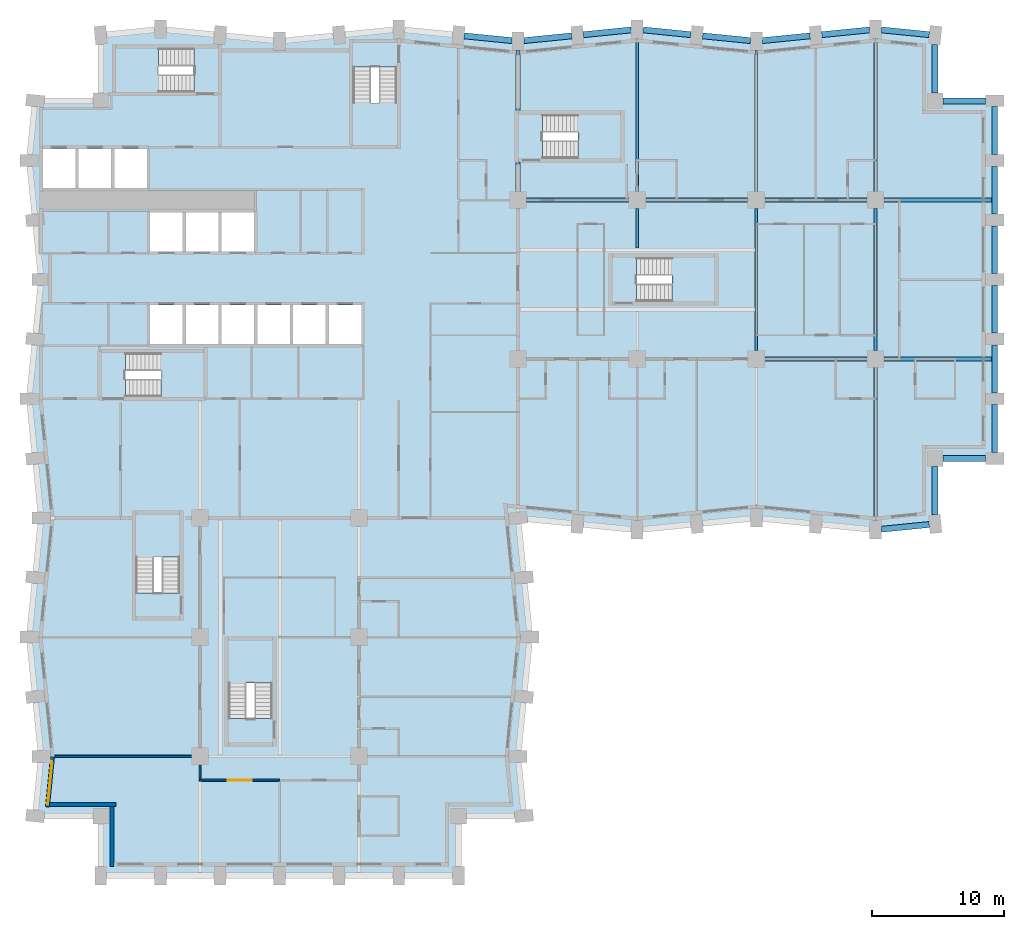
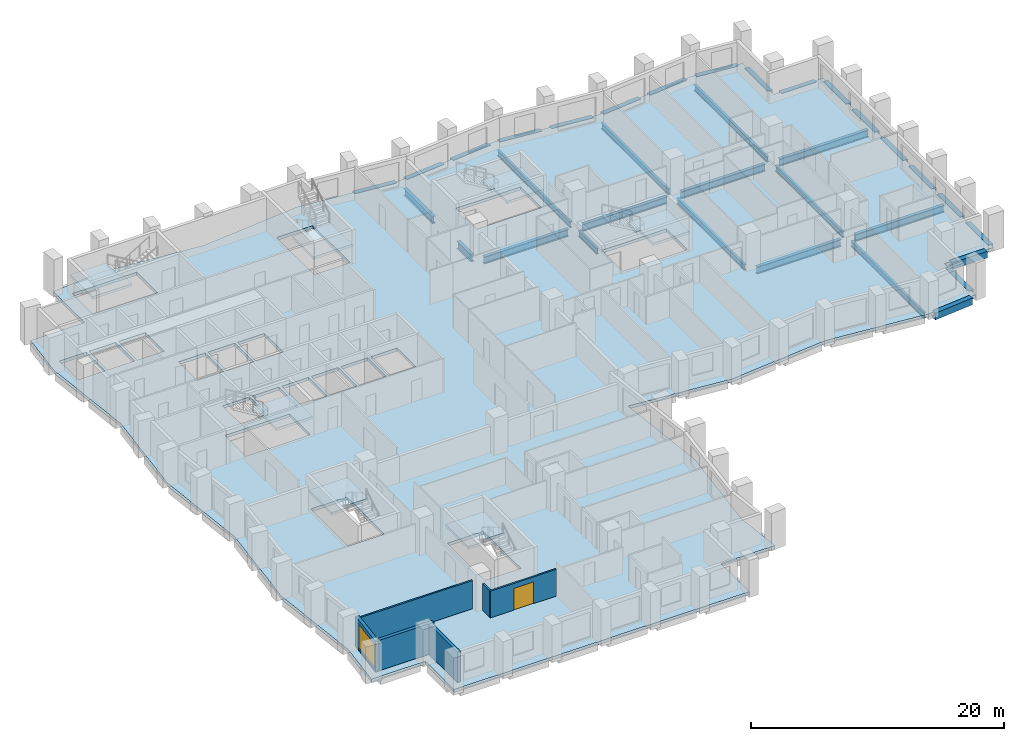
# One storey, part 2 of 12: 34 beams, 8 slabs, 6 walls, 1 door, 1 window, 2 openings, 7 elements without a shape of their own.
"""IFC4 building model written with IfcOpenShell, lengths in metres."""

from ifc_helpers import new_model, si_unit, direction, frame, frame_2d, origin, origin_2d, place, context, subcontext, project, spatial, polyline, rectangle, i_section, outline, extrude, material, layer, layer_set, material_profile, profile_set, type_object, element, fill, aggregate, save


model = new_model("IFC4")

# Units and contexts
model_context = context("Model", 3, precision=1e-05, world=origin(), true_north=direction((0.0, 1.0)))
body_context = subcontext(model_context, "Body", "Model", "MODEL_VIEW")
ifc_project = project(units=[si_unit("LENGTHUNIT", "METRE"), si_unit("AREAUNIT", "SQUARE_METRE"), si_unit("VOLUMEUNIT", "CUBIC_METRE"), si_unit("PLANEANGLEUNIT", "RADIAN"), si_unit("MASSUNIT", "GRAM", prefix="KILO")], contexts=[model_context])

# Site, building, storey
site_placement = place(None, origin())
site = spatial("IfcSite", under=ifc_project, at=site_placement, CompositionType="ELEMENT")
building_placement = place(site_placement, origin())
building = spatial("IfcBuilding", under=site, at=building_placement, Name="Brondeck Convention Tower", CompositionType="ELEMENT")
storey_placement = place(building_placement, frame((0.0, 0.0, 80.699951171875)))
storey = spatial("IfcBuildingStorey", under=building, at=storey_placement, Name="L18", CompositionType="ELEMENT", Elevation=80.699951171875)

# Beams
ifc_material_1 = material(Name="Steel S355", Category="steel")
ifc_material_profile_1 = material_profile(ifc_material_1, i_section(OverallWidth=0.2099609375, OverallDepth=0.550048828125, WebThickness=0.010986328125, FlangeThickness=0.01708984375, FilletRadius=0.02392578125, at=origin_2d()), Name="IPE 550")
ifc_profile_set_1 = profile_set([ifc_material_profile_1], Name="Steel S355")
beam_type_1 = type_object("IfcBeamType", Name="Floor beam IPE 550", PredefinedType="BEAM", material=ifc_profile_set_1)
beam_1_placement = place(storey_placement, frame((45.0, 51.64990234375, -0.574951171875), z_axis=(0.0, 1.0, 0.0), x_axis=(-1.0, 0.0, 0.0)))
element("IfcBeam", 1, at=beam_1_placement, inside=storey, type_object=beam_type_1, Name="STR-FB-L18-002", PredefinedType="BEAM", context=body_context, shape_type="SweptSolid", body=[
    extrude(i_section(OverallWidth=0.2099609375, OverallDepth=0.550048828125, WebThickness=0.010986328125, FlangeThickness=0.01708984375, FilletRadius=0.02392578125, at=origin_2d()), origin(), (0.0, 0.0, 1.0), 11.550048828125),
])
beam_2_placement = place(storey_placement, frame((54.0, 39.64990234375, -0.574951171875), z_axis=(0.0, 1.0, 0.0), x_axis=(-1.0, 0.0, 0.0)))
element("IfcBeam", 2, at=beam_2_placement, inside=storey, type_object=beam_type_1, Name="STR-FB-L18-004", PredefinedType="BEAM", context=body_context, shape_type="SweptSolid", body=[
    extrude(i_section(OverallWidth=0.2099609375, OverallDepth=0.550048828125, WebThickness=0.010986328125, FlangeThickness=0.01708984375, FilletRadius=0.02392578125, at=origin_2d()), origin(), (0.0, 0.0, 1.0), 10.7001953125),
])
beam_3_placement = place(storey_placement, frame((54.0, 51.64990234375, -0.574951171875), z_axis=(0.0, 1.0, 0.0), x_axis=(-1.0, 0.0, 0.0)))
element("IfcBeam", 3, at=beam_3_placement, inside=storey, type_object=beam_type_1, Name="STR-FB-L18-005", PredefinedType="BEAM", context=body_context, shape_type="SweptSolid", body=[
    extrude(i_section(OverallWidth=0.2099609375, OverallDepth=0.550048828125, WebThickness=0.010986328125, FlangeThickness=0.01708984375, FilletRadius=0.02392578125, at=origin_2d()), origin(), (0.0, 0.0, 1.0), 10.650146484375),
])
beam_4_placement = place(storey_placement, frame((63.0, 26.800048828125, -0.574951171875), z_axis=(0.0, 1.0, 0.0), x_axis=(-1.0, 0.0, 0.0)))
element("IfcBeam", 4, at=beam_4_placement, inside=storey, type_object=beam_type_1, Name="STR-FB-L18-006", PredefinedType="BEAM", context=body_context, shape_type="SweptSolid", body=[
    extrude(i_section(OverallWidth=0.2099609375, OverallDepth=0.550048828125, WebThickness=0.010986328125, FlangeThickness=0.01708984375, FilletRadius=0.02392578125, at=origin_2d()), origin(), (0.0, 0.0, 1.0), 11.550048828125),
])
beam_5_placement = place(storey_placement, frame((63.0, 39.64990234375, -0.574951171875), z_axis=(0.0, 1.0, 0.0), x_axis=(-1.0, 0.0, 0.0)))
element("IfcBeam", 5, at=beam_5_placement, inside=storey, type_object=beam_type_1, Name="STR-FB-L18-007", PredefinedType="BEAM", context=body_context, shape_type="SweptSolid", body=[
    extrude(i_section(OverallWidth=0.2099609375, OverallDepth=0.550048828125, WebThickness=0.010986328125, FlangeThickness=0.01708984375, FilletRadius=0.02392578125, at=origin_2d()), origin(), (0.0, 0.0, 1.0), 10.7001953125),
])
beam_6_placement = place(storey_placement, frame((63.0, 51.64990234375, -0.574951171875), z_axis=(0.0, 1.0, 0.0), x_axis=(-1.0, 0.0, 0.0)))
element("IfcBeam", 6, at=beam_6_placement, inside=storey, type_object=beam_type_1, Name="STR-FB-L18-008", PredefinedType="BEAM", context=body_context, shape_type="SweptSolid", body=[
    extrude(i_section(OverallWidth=0.2099609375, OverallDepth=0.550048828125, WebThickness=0.010986328125, FlangeThickness=0.01708984375, FilletRadius=0.02392578125, at=origin_2d()), origin(), (0.0, 0.0, 1.0), 11.550048828125),
])
beam_7_placement = place(storey_placement, frame((45.0, 47.39990234375, -0.574951171875), z_axis=(0.0, 1.0, 0.0), x_axis=(-1.0, 0.0, 0.0)))
element("IfcBeam", 7, at=beam_7_placement, inside=storey, type_object=beam_type_1, Name="STR-FB-L18-015", PredefinedType="BEAM", context=body_context, shape_type="SweptSolid", body=[
    extrude(i_section(OverallWidth=0.2099609375, OverallDepth=0.550048828125, WebThickness=0.010986328125, FlangeThickness=0.01708984375, FilletRadius=0.02392578125, at=origin_2d()), origin(), (0.0, 0.0, 1.0), 2.9501953125),
])
ifc_material_profile_2 = material_profile(ifc_material_1, i_section(OverallWidth=0.300048828125, OverallDepth=0.699951171875, WebThickness=0.01708984375, FlangeThickness=0.031982421875, FilletRadius=0.027099609375, at=origin_2d()), Name="HEB 700")
ifc_profile_set_2 = profile_set([ifc_material_profile_2], Name="Steel S355")
beam_type_2 = type_object("IfcBeamType", Name="Girder HEB 700", PredefinedType="BEAM", material=ifc_profile_set_2)
beam_8_placement = place(storey_placement, frame((54.64990234375, 39.0, -0.64990234375), z_axis=(1.0, 0.0, 0.0), x_axis=(0.0, 1.0, 0.0)))
element("IfcBeam", 8, at=beam_8_placement, inside=storey, type_object=beam_type_2, Name="STR-GR-L18-003", PredefinedType="BEAM", context=body_context, shape_type="SweptSolid", body=[
    extrude(i_section(OverallWidth=0.300048828125, OverallDepth=0.699951171875, WebThickness=0.01708984375, FlangeThickness=0.031982421875, FilletRadius=0.027099609375, at=origin_2d()), origin(), (0.0, 0.0, 1.0), 7.7001953125),
])
beam_9_placement = place(storey_placement, frame((63.64990234375, 39.0, -0.64990234375), z_axis=(1.0, 0.0, 0.0), x_axis=(0.0, 1.0, 0.0)))
element("IfcBeam", 9, at=beam_9_placement, inside=storey, type_object=beam_type_2, Name="STR-GR-L18-004", PredefinedType="BEAM", context=body_context, shape_type="SweptSolid", body=[
    extrude(i_section(OverallWidth=0.300048828125, OverallDepth=0.699951171875, WebThickness=0.01708984375, FlangeThickness=0.031982421875, FilletRadius=0.027099609375, at=origin_2d()), origin(), (0.0, 0.0, 1.0), 8.125),
])
for number, where, z_axis, x_axis, name in (
    (10, (36.64990234375, 51.0, -0.64990234375), (1.0, 0.0, 0.0), (0.0, 1.0, 0.0), "STR-GR-L18-005"),
    (11, (45.64990234375, 51.0, -0.64990234375), (1.0, 0.0, 0.0), (0.0, 1.0, 0.0), "STR-GR-L18-006"),
    (12, (54.64990234375, 51.0, -0.64990234375), (1.0, 0.0, 0.0), (0.0, 1.0, 0.0), "STR-GR-L18-007"),
):
    element("IfcBeam", number, at=place(storey_placement, frame(where, z_axis=z_axis, x_axis=x_axis)), inside=storey, type_object=beam_type_2, Name=name, PredefinedType="BEAM", context=body_context, shape_type="SweptSolid", body=[
        extrude(i_section(OverallWidth=0.300048828125, OverallDepth=0.699951171875, WebThickness=0.01708984375, FlangeThickness=0.031982421875, FilletRadius=0.027099609375, at=origin_2d()), origin(), (0.0, 0.0, 1.0), 7.7001953125),
    ])
beam_10_placement = place(storey_placement, frame((63.64990234375, 51.0, -0.64990234375), z_axis=(1.0, 0.0, 0.0), x_axis=(0.0, 1.0, 0.0)))
element("IfcBeam", 13, at=beam_10_placement, inside=storey, type_object=beam_type_2, Name="STR-GR-L18-008", PredefinedType="BEAM", context=body_context, shape_type="SweptSolid", body=[
    extrude(i_section(OverallWidth=0.300048828125, OverallDepth=0.699951171875, WebThickness=0.01708984375, FlangeThickness=0.031982421875, FilletRadius=0.027099609375, at=origin_2d()), origin(), (0.0, 0.0, 1.0), 8.125),
])
beam_11_placement = place(storey_placement, frame((36.0, 51.64990234375, -0.64990234375), z_axis=(0.0, 1.0, 0.0), x_axis=(-1.0, 0.0, 0.0)))
element("IfcBeam", 14, at=beam_11_placement, inside=storey, type_object=beam_type_2, Name="STR-GR-L18-011", PredefinedType="BEAM", context=body_context, shape_type="SweptSolid", body=[
    extrude(i_section(OverallWidth=0.300048828125, OverallDepth=0.699951171875, WebThickness=0.01708984375, FlangeThickness=0.031982421875, FilletRadius=0.027099609375, at=origin_2d()), origin(), (0.0, 0.0, 1.0), 2.22998046875),
])
beam_12_placement = place(storey_placement, frame((36.0, 57.719970703125, -0.64990234375), z_axis=(0.0, 1.0, 0.0), x_axis=(-1.0, 0.0, 0.0)))
element("IfcBeam", 15, at=beam_12_placement, inside=storey, type_object=beam_type_2, Name="STR-GR-L18-012", PredefinedType="BEAM", context=body_context, shape_type="SweptSolid", body=[
    extrude(i_section(OverallWidth=0.300048828125, OverallDepth=0.699951171875, WebThickness=0.01708984375, FlangeThickness=0.031982421875, FilletRadius=0.027099609375, at=origin_2d()), origin(), (0.0, 0.0, 1.0), 4.580078125),
])
ifc_material_2 = material(Name="Concrete C80/95", Category="concrete")
ifc_material_profile_3 = material_profile(ifc_material_2, rectangle(XDim=0.449951171875, YDim=0.64990234375, at=origin_2d()), Name="Precast spandrel 450x650 Concrete C80/95")
ifc_profile_set_3 = profile_set([ifc_material_profile_3], Name="Concrete C80/95")
beam_type_3 = type_object("IfcBeamType", Name="Precast spandrel 450x650 Concrete C80/95", PredefinedType="SPANDREL", material=ifc_profile_set_3)
beam_13_placement = place(storey_placement, frame((63.449951171875, 26.14501953125, -0.324951171875), z_axis=(0.995040528141, 0.099470334057, 0.0), x_axis=(-0.099470334057, 0.995040528141, 0.0)))
element("IfcBeam", 16, at=beam_13_placement, inside=storey, type_object=beam_type_3, Name="STR-SP-L18-020", PredefinedType="SPANDREL", context=body_context, shape_type="SweptSolid", body=[
    extrude(rectangle(XDim=0.449951171875, YDim=0.64990234375, at=origin_2d()), origin(), (0.0, 0.0, 1.0), 3.620361328125),
])
beam_14_placement = place(storey_placement, frame((67.5, 27.25341796875, -0.324951171875), z_axis=(0.0, 1.0, 0.0), x_axis=(-1.0, 0.0, 0.0)))
element("IfcBeam", 17, at=beam_14_placement, inside=storey, type_object=beam_type_3, Name="STR-SP-L18-021", PredefinedType="SPANDREL", context=body_context, shape_type="SweptSolid", body=[
    extrude(rectangle(XDim=0.449951171875, YDim=0.64990234375, at=origin_2d()), origin(), (0.0, 0.0, 1.0), 3.646484375),
])
beam_15_placement = place(storey_placement, frame((68.10009765625, 31.5, -0.324951171875), z_axis=(1.0, 0.0, 0.0), x_axis=(0.0, 1.0, 0.0)))
element("IfcBeam", 18, at=beam_15_placement, inside=storey, type_object=beam_type_3, Name="STR-SP-L18-022", PredefinedType="SPANDREL", context=body_context, shape_type="SweptSolid", body=[
    extrude(rectangle(XDim=0.449951171875, YDim=0.64990234375, at=origin_2d()), origin(), (0.0, 0.0, 1.0), 3.199951171875),
])
for number, where, z_axis, x_axis, name in (
    (19, (72.0, 31.949951171875, -0.324951171875), (0.0, 1.0, 0.0), (-1.0, 0.0, 0.0), "STR-SP-L18-023"),
    (20, (72.0, 36.449951171875, -0.324951171875), (0.0, 1.0, 0.0), (-1.0, 0.0, 0.0), "STR-SP-L18-024"),
    (21, (72.0, 40.949951171875, -0.324951171875), (0.0, 1.0, 0.0), (-1.0, 0.0, 0.0), "STR-SP-L18-025"),
    (22, (72.0, 45.449951171875, -0.324951171875), (0.0, 1.0, 0.0), (-1.0, 0.0, 0.0), "STR-SP-L18-026"),
    (23, (72.0, 49.949951171875, -0.324951171875), (0.0, 1.0, 0.0), (-1.0, 0.0, 0.0), "STR-SP-L18-027"),
    (24, (72.0, 54.449951171875, -0.324951171875), (0.0, 1.0, 0.0), (-1.0, 0.0, 0.0), "STR-SP-L18-028"),
):
    element("IfcBeam", number, at=place(storey_placement, frame(where, z_axis=z_axis, x_axis=x_axis)), inside=storey, type_object=beam_type_3, Name=name, PredefinedType="SPANDREL", context=body_context, shape_type="SweptSolid", body=[
        extrude(rectangle(XDim=0.449951171875, YDim=0.64990234375, at=origin_2d()), origin(), (0.0, 0.0, 1.0), 3.60009765625),
    ])
beam_16_placement = place(storey_placement, frame((71.300048828125, 58.5, -0.324951171875), z_axis=(-1.0, 0.0, 0.0), x_axis=(0.0, -1.0, 0.0)))
element("IfcBeam", 25, at=beam_16_placement, inside=storey, type_object=beam_type_3, Name="STR-SP-L18-029", PredefinedType="SPANDREL", context=body_context, shape_type="SweptSolid", body=[
    extrude(rectangle(XDim=0.449951171875, YDim=0.64990234375, at=origin_2d()), origin(), (0.0, 0.0, 1.0), 3.199951171875),
])
beam_17_placement = place(storey_placement, frame((67.5, 59.10009765625, -0.324951171875), z_axis=(0.0, 1.0, 0.0), x_axis=(-1.0, 0.0, 0.0)))
element("IfcBeam", 26, at=beam_17_placement, inside=storey, type_object=beam_type_3, Name="STR-SP-L18-030", PredefinedType="SPANDREL", context=body_context, shape_type="SweptSolid", body=[
    extrude(rectangle(XDim=0.449951171875, YDim=0.64990234375, at=origin_2d()), origin(), (0.0, 0.0, 1.0), 3.646484375),
])
for number, where, z_axis, x_axis, name in (
    (27, (67.05224609375, 63.494873046875, -0.324951171875), (-0.995040528141, 0.099470334057, 0.0), (-0.099470334057, -0.995040528141, 0.0), "STR-SP-L18-031"),
    (28, (62.550048828125, 63.85498046875, -0.324951171875), (-0.995040528141, -0.099470334057, 0.0), (0.099470334057, -0.995040528141, 0.0), "STR-SP-L18-032"),
    (29, (58.05224609375, 63.4052734375, -0.324951171875), (-0.995033851182, -0.099537103649, 0.0), (0.099537103649, -0.995033851182, 0.0), "STR-SP-L18-033"),
    (30, (53.550048828125, 63.044921875, -0.324951171875), (-0.995033851182, 0.099537103649, 0.0), (-0.099537103649, -0.995033851182, 0.0), "STR-SP-L18-034"),
    (31, (49.05224609375, 63.494873046875, -0.324951171875), (-0.995040528141, 0.099470334057, 0.0), (-0.099470334057, -0.995040528141, 0.0), "STR-SP-L18-035"),
    (32, (44.550048828125, 63.85498046875, -0.324951171875), (-0.995040528141, -0.099470334057, 0.0), (0.099470334057, -0.995040528141, 0.0), "STR-SP-L18-036"),
    (33, (40.05224609375, 63.4052734375, -0.324951171875), (-0.995033851182, -0.099537103649, 0.0), (0.099537103649, -0.995033851182, 0.0), "STR-SP-L18-037"),
    (34, (35.550048828125, 63.044921875, -0.324951171875), (-0.995033851182, 0.099537103649, 0.0), (-0.099537103649, -0.995033851182, 0.0), "STR-SP-L18-038"),
):
    element("IfcBeam", number, at=place(storey_placement, frame(where, z_axis=z_axis, x_axis=x_axis)), inside=storey, type_object=beam_type_3, Name=name, PredefinedType="SPANDREL", context=body_context, shape_type="SweptSolid", body=[
        extrude(rectangle(XDim=0.449951171875, YDim=0.64990234375, at=origin_2d()), origin(), (0.0, 0.0, 1.0), 3.620361328125),
    ])

# Slab
ifc_material_3 = material(Name="Concrete C35/45", Category="concrete")
ifc_layer_1 = layer(ifc_material_3, 0.300048828125)
ifc_layer_set_1 = layer_set([ifc_layer_1], Name="Composite floor slab 300")
slab_type_1 = type_object("IfcSlabType", Name="Composite floor slab 300", PredefinedType="FLOOR", material=ifc_layer_set_1)
slab_1_placement = place(storey_placement, frame((0.0, 0.0, -0.300048828125)))
element("IfcSlab", 35, at=slab_1_placement, inside=storey, type_object=slab_type_1, Name="STR-SL-L18", PredefinedType="FLOOR", context=body_context, shape_type="SweptSolid", body=[
    extrude(outline(polyline([(4.5, 4.5), (-0.449951171875, 4.5), (0.0, 9.0), (-0.89990234375, 18.0), (0.0, 27.0), (-0.89990234375, 36.0), (0.0, 45.0), (-0.89990234375, 54.0), (-0.449951171875, 58.5), (4.5, 58.5), (4.5, 63.449951171875), (9.0, 63.89990234375), (18.0, 63.0), (27.0, 63.89990234375), (36.0, 63.0), (45.0, 63.89990234375), (54.0, 63.0), (63.0, 63.89990234375), (67.5, 63.449951171875), (67.5, 58.5), (72.0, 58.5), (72.0, 31.5), (67.5, 31.5), (67.5, 26.550048828125), (63.0, 26.10009765625), (54.0, 27.0), (45.0, 26.10009765625), (36.0, 27.0), (36.89990234375, 18.0), (36.0, 9.0), (36.449951171875, 4.5), (31.5, 4.5), (31.5, 0.0), (4.5, 0.0), (4.5, 4.5)]), holes=[polyline([(10.447998046875, 27.248046875), (7.152099609375, 27.248046875), (7.152099609375, 21.35205078125), (10.447998046875, 21.35205078125), (10.447998046875, 27.248046875)]), polyline([(12.248046875, 36.152099609375), (12.248046875, 39.447998046875), (6.35205078125, 39.447998046875), (6.35205078125, 36.152099609375), (12.248046875, 36.152099609375)]), polyline([(10.675048828125, 40.125), (10.675048828125, 43.074951171875), (8.22509765625, 43.074951171875), (8.22509765625, 40.125), (10.675048828125, 40.125)]), polyline([(13.375, 40.125), (13.375, 43.074951171875), (10.925048828125, 43.074951171875), (10.925048828125, 40.125), (13.375, 40.125)]), polyline([(10.675048828125, 47.125), (10.675048828125, 50.074951171875), (8.22509765625, 50.074951171875), (8.22509765625, 47.125), (10.675048828125, 47.125)]), polyline([(13.375, 47.125), (13.375, 50.074951171875), (10.925048828125, 50.074951171875), (10.925048828125, 47.125), (13.375, 47.125)]), polyline([(2.574951171875, 51.925048828125), (2.574951171875, 54.875), (0.125, 54.875), (0.125, 51.925048828125), (2.574951171875, 51.925048828125)]), polyline([(2.824951171875, 51.925048828125), (5.27490234375, 51.925048828125), (5.27490234375, 54.875), (2.824951171875, 54.875), (2.824951171875, 51.925048828125)]), polyline([(5.52490234375, 51.925048828125), (7.97509765625, 51.925048828125), (7.97509765625, 54.875), (5.52490234375, 54.875), (5.52490234375, 51.925048828125)]), polyline([(5.652099609375, 62.447998046875), (5.652099609375, 59.152099609375), (11.548095703125, 59.152099609375), (11.548095703125, 62.447998046875), (5.652099609375, 62.447998046875)]), polyline([(17.447998046875, 17.748046875), (14.152099609375, 17.748046875), (14.152099609375, 11.85205078125), (17.447998046875, 11.85205078125), (17.447998046875, 17.748046875)]), polyline([(16.074951171875, 40.125), (16.074951171875, 43.074951171875), (13.625, 43.074951171875), (13.625, 40.125), (16.074951171875, 40.125)]), polyline([(16.324951171875, 40.125), (18.77490234375, 40.125), (18.77490234375, 43.074951171875), (16.324951171875, 43.074951171875), (16.324951171875, 40.125)]), polyline([(19.02490234375, 40.125), (21.47509765625, 40.125), (21.47509765625, 43.074951171875), (19.02490234375, 43.074951171875), (19.02490234375, 40.125)]), polyline([(24.175048828125, 40.125), (24.175048828125, 43.074951171875), (21.72509765625, 43.074951171875), (21.72509765625, 40.125), (24.175048828125, 40.125)]), polyline([(50.847900390625, 43.35205078125), (50.847900390625, 46.64794921875), (44.951904296875, 46.64794921875), (44.951904296875, 43.35205078125), (50.847900390625, 43.35205078125)]), polyline([(16.074951171875, 47.125), (16.074951171875, 50.074951171875), (13.625, 50.074951171875), (13.625, 47.125), (16.074951171875, 47.125)]), polyline([(37.85205078125, 54.152099609375), (43.748046875, 54.152099609375), (43.748046875, 57.447998046875), (37.85205078125, 57.447998046875), (37.85205078125, 54.152099609375)]), polyline([(23.552001953125, 61.048095703125), (23.552001953125, 55.152099609375), (26.847900390625, 55.152099609375), (26.847900390625, 61.048095703125), (23.552001953125, 61.048095703125)])]), origin(), (0.0, 0.0, 1.0), 0.300048828125),
])

# Stair, slab
ifc_material_4 = material(Name="Precast concrete C50/60", Category="concrete")
stair_type = type_object("IfcStairType", Name="Core stair 20 risers 180.00 mm riser 300 mm going 1350 wide", PredefinedType="HALF_TURN_STAIR", material=ifc_material_4)
stair_1_placement = place(storey_placement, origin())
stair_1 = element("IfcStair", 36, at=stair_1_placement, inside=storey, type_object=stair_type, Name="ST-1 L18 stair", PredefinedType="HALF_TURN_STAIR")
ifc_layer_2 = layer(ifc_material_4, 0.25)
ifc_layer_set_2 = layer_set([ifc_layer_2], Name="Core stair landing 250 Precast concrete C50/60")
slab_type_2 = type_object("IfcSlabType", Name="Core stair landing 250 Precast concrete C50/60", PredefinedType="LANDING", material=ifc_layer_set_2)
slab_2_placement = place(storey_placement, frame((0.0, 0.0, 1.550048828125)))
slab_2 = element("IfcSlab", 37, at=slab_2_placement, type_object=slab_type_2, Name="ST-1 landing 1", PredefinedType="LANDING", context=body_context, shape_type="SweptSolid", body=[
    extrude(outline(polyline([(9.048095703125, 37.5), (9.050048828125, 37.5), (9.050048828125, 38.10009765625), (8.75, 38.10009765625), (8.75, 39.570068359375), (12.3701171875, 39.570068359375), (12.3701171875, 36.030029296875), (9.048095703125, 36.030029296875), (9.048095703125, 37.5)])), origin(), (0.0, 0.0, 1.0), 0.25),
])
aggregate(stair_1, [slab_2])

stair_2_placement = place(storey_placement, origin())
stair_2 = element("IfcStair", 38, at=stair_2_placement, inside=storey, type_object=stair_type, Name="ST-2 L18 stair", PredefinedType="HALF_TURN_STAIR")
slab_3_placement = place(storey_placement, frame((0.0, 0.0, 1.550048828125)))
slab_3 = element("IfcSlab", 39, at=slab_3_placement, type_object=slab_type_2, Name="ST-2 landing 1", PredefinedType="LANDING", context=body_context, shape_type="SweptSolid", body=[
    extrude(outline(polyline([(23.429931640625, 58.35205078125), (24.89990234375, 58.35205078125), (24.89990234375, 58.35009765625), (25.5, 58.35009765625), (25.5, 58.64990234375), (26.969970703125, 58.64990234375), (26.969970703125, 55.030029296875), (23.429931640625, 55.030029296875), (23.429931640625, 58.35205078125)])), origin(), (0.0, 0.0, 1.0), 0.25),
])
aggregate(stair_2, [slab_3])

stair_3_placement = place(storey_placement, origin())
stair_3 = element("IfcStair", 40, at=stair_3_placement, inside=storey, type_object=stair_type, Name="ST-3 L18 stair", PredefinedType="HALF_TURN_STAIR")
slab_4_placement = place(storey_placement, frame((0.0, 0.0, 1.550048828125)))
slab_4 = element("IfcSlab", 41, at=slab_4_placement, type_object=slab_type_2, Name="ST-3 landing 1", PredefinedType="LANDING", context=body_context, shape_type="SweptSolid", body=[
    extrude(outline(polyline([(9.14990234375, 60.5), (9.14990234375, 59.030029296875), (5.530029296875, 59.030029296875), (5.530029296875, 62.570068359375), (8.85205078125, 62.570068359375), (8.85205078125, 61.10009765625), (8.85009765625, 61.10009765625), (8.85009765625, 60.5), (9.14990234375, 60.5)])), origin(), (0.0, 0.0, 1.0), 0.25),
])
aggregate(stair_3, [slab_4])

stair_4_placement = place(storey_placement, origin())
stair_4 = element("IfcStair", 42, at=stair_4_placement, inside=storey, type_object=stair_type, Name="ST-AE L18 stair", PredefinedType="HALF_TURN_STAIR")
slab_5_placement = place(storey_placement, frame((0.0, 0.0, 1.550048828125)))
slab_5 = element("IfcSlab", 43, at=slab_5_placement, type_object=slab_type_2, Name="ST-AE landing 1", PredefinedType="LANDING", context=body_context, shape_type="SweptSolid", body=[
    extrude(outline(polyline([(40.548095703125, 55.5), (40.550048828125, 55.5), (40.550048828125, 56.10009765625), (40.25, 56.10009765625), (40.25, 57.570068359375), (43.8701171875, 57.570068359375), (43.8701171875, 54.030029296875), (40.548095703125, 54.030029296875), (40.548095703125, 55.5)])), origin(), (0.0, 0.0, 1.0), 0.25),
])
aggregate(stair_4, [slab_5])

stair_5_placement = place(storey_placement, origin())
stair_5 = element("IfcStair", 44, at=stair_5_placement, inside=storey, type_object=stair_type, Name="ST-BE L18 stair", PredefinedType="HALF_TURN_STAIR")
slab_6_placement = place(storey_placement, frame((0.0, 0.0, 1.550048828125)))
slab_6 = element("IfcSlab", 45, at=slab_6_placement, type_object=slab_type_2, Name="ST-BE landing 1", PredefinedType="LANDING", context=body_context, shape_type="SweptSolid", body=[
    extrude(outline(polyline([(7.030029296875, 23.75), (7.030029296875, 27.3701171875), (10.570068359375, 27.3701171875), (10.570068359375, 24.048095703125), (9.10009765625, 24.048095703125), (9.10009765625, 24.050048828125), (8.5, 24.050048828125), (8.5, 23.75), (7.030029296875, 23.75)])), origin(), (0.0, 0.0, 1.0), 0.25),
])
aggregate(stair_5, [slab_6])

stair_6_placement = place(storey_placement, origin())
stair_6 = element("IfcStair", 46, at=stair_6_placement, inside=storey, type_object=stair_type, Name="ST-AF L18 stair", PredefinedType="HALF_TURN_STAIR")
slab_7_placement = place(storey_placement, frame((0.0, 0.0, 1.550048828125)))
slab_7 = element("IfcSlab", 47, at=slab_7_placement, type_object=slab_type_2, Name="ST-AF landing 1", PredefinedType="LANDING", context=body_context, shape_type="SweptSolid", body=[
    extrude(outline(polyline([(47.64794921875, 44.699951171875), (47.64990234375, 44.699951171875), (47.64990234375, 45.300048828125), (47.35009765625, 45.300048828125), (47.35009765625, 46.77001953125), (50.969970703125, 46.77001953125), (50.969970703125, 43.22998046875), (47.64794921875, 43.22998046875), (47.64794921875, 44.699951171875)])), origin(), (0.0, 0.0, 1.0), 0.25),
])
aggregate(stair_6, [slab_7])

stair_7_placement = place(storey_placement, origin())
stair_7 = element("IfcStair", 48, at=stair_7_placement, inside=storey, type_object=stair_type, Name="ST-BF L18 stair", PredefinedType="HALF_TURN_STAIR")
slab_8_placement = place(storey_placement, frame((0.0, 0.0, 1.550048828125)))
slab_8 = element("IfcSlab", 49, at=slab_8_placement, type_object=slab_type_2, Name="ST-BF landing 1", PredefinedType="LANDING", context=body_context, shape_type="SweptSolid", body=[
    extrude(outline(polyline([(14.030029296875, 14.25), (14.030029296875, 17.8701171875), (17.570068359375, 17.8701171875), (17.570068359375, 14.548095703125), (16.10009765625, 14.548095703125), (16.10009765625, 14.550048828125), (15.5, 14.550048828125), (15.5, 14.25), (14.030029296875, 14.25)])), origin(), (0.0, 0.0, 1.0), 0.25),
])
aggregate(stair_7, [slab_8])

# Wall, opening, window
ifc_material_5 = material(Name="Precast concrete C50/60 bronze finish", Category="concrete")
ifc_layer_3 = layer(ifc_material_5, 0.070068359375, Name="Bronze precast facing")
ifc_material_6 = material(Name="Mineral wool")
ifc_layer_4 = layer(ifc_material_6, 0.159912109375, Name="Insulation")
ifc_layer_5 = layer(ifc_material_3, 0.070068359375, Name="Backing")
ifc_layer_set_3 = layer_set([ifc_layer_3, ifc_layer_4, ifc_layer_5], Name="External infill wall, precast concrete C50/60 bronze facing")
wall_type_1 = type_object("IfcWallType", Name="External infill wall, precast concrete C50/60 bronze facing", PredefinedType="SOLIDWALL", material=ifc_layer_set_3)
wall_1_placement = place(storey_placement, frame((0.47265625, 5.18505859375, 0.0), z_axis=(0.0, 0.0, 1.0), x_axis=(0.099541845169, 0.995033376857, 0.0)))
wall_1 = element("IfcWall", 50, at=wall_1_placement, inside=storey, type_object=wall_type_1, Name="ENV-EW-L18-P0-B-W-12", PredefinedType="SOLIDWALL", context=body_context, shape_type="SweptSolid", body=[
    extrude(rectangle(XDim=3.803955078125, YDim=0.300048828125, at=frame_2d((1.90185546875, 0.0))), origin(), (0.0, 0.0, 1.0), 2.949951171875),
])
opening_1_placement = place(wall_1_placement, frame((0.14990234375, 0.0, 0.14990234375)))
opening_1 = element("IfcOpeningElement", 51, at=opening_1_placement, cuts=wall_1, Name="Opening W9", PredefinedType="OPENING", context=body_context, shape_type="SweptSolid", body=[
    extrude(rectangle(XDim=3.300048828125, YDim=2.39990234375, at=frame_2d((1.64990234375, 1.199951171875))), frame((0.0, 0.159912109375, 0.0), z_axis=(0.0, -1.0, 0.0), x_axis=(1.0, 0.0, 0.0)), (0.0, 0.0, 1.0), 0.320068359375),
])
ifc_material_7 = material(Name="Bronze tinted double glazing", Category="glass")
window_type = type_object("IfcWindowType", Name="Glazed flute window, bronze tinted", PartitioningType="SINGLE_PANEL", PredefinedType="WINDOW", material=ifc_material_7)
window_placement = place(opening_1_placement, origin())
window = element("IfcWindow", 52, at=window_placement, inside=storey, type_object=window_type, Name="ENV-WN-L18-P0-B-W-12", OverallHeight=2.39990234375, OverallWidth=3.300048828125, PartitioningType="SINGLE_PANEL", PredefinedType="WINDOW", context=body_context, shape_type="SweptSolid", body=[
    extrude(rectangle(XDim=3.300048828125, YDim=2.39990234375, at=frame_2d((1.64990234375, 1.199951171875))), frame((0.0, 0.030029296875, 0.0), z_axis=(0.0, -1.0, 0.0), x_axis=(1.0, 0.0, 0.0)), (0.0, 0.0, 1.0), 0.06005859375),
])
fill(opening_1, window)

# Walls
wall_2_placement = place(storey_placement, frame((5.64990234375, 5.35009765625, 0.0), z_axis=(0.0, 0.0, 1.0), x_axis=(-1.0, 0.0, 0.0)))
element("IfcWall", 53, at=wall_2_placement, inside=storey, type_object=wall_type_1, Name="ENV-EW-L18-P0-NC-SWB0-01", PredefinedType="SOLIDWALL", context=body_context, shape_type="SweptSolid", body=[
    extrude(rectangle(XDim=5.004638671875, YDim=0.300048828125, at=frame_2d((2.50244140625, 0.0))), origin(), (0.0, 0.0, 1.0), 2.949951171875),
])
wall_3_placement = place(storey_placement, frame((5.35009765625, 0.699951171875, 0.0), z_axis=(0.0, 0.0, 1.0), x_axis=(0.0, 1.0, 0.0)))
element("IfcWall", 54, at=wall_3_placement, inside=storey, type_object=wall_type_1, Name="ENV-EW-L18-P0-NC-SWB0-02", PredefinedType="SOLIDWALL", context=body_context, shape_type="SweptSolid", body=[
    extrude(rectangle(XDim=4.5, YDim=0.300048828125, at=frame_2d((2.25, 0.0))), origin(), (0.0, 0.0, 1.0), 2.949951171875),
])

# Wall, opening, door
ifc_material_8 = material(Name="Double gypsum board acoustic wall")
ifc_layer_6 = layer(ifc_material_8, 0.14990234375)
ifc_layer_set_4 = layer_set([ifc_layer_6], Name="Guest room party wall 150")
wall_type_2 = type_object("IfcWallType", Name="Guest room party wall 150", PredefinedType="PARTITIONING", material=ifc_layer_set_4)
wall_4_placement = place(storey_placement, frame((18.0, 7.199951171875, 0.0), z_axis=(0.0, 0.0, 1.0), x_axis=(-1.0, 0.0, 0.0)))
wall_4 = element("IfcWall", 55, at=wall_4_placement, inside=storey, type_object=wall_type_2, Name="FLR-L18-W006", PredefinedType="PARTITIONING", context=body_context, shape_type="SweptSolid", body=[
    extrude(rectangle(XDim=6.074951171875, YDim=0.14990234375, at=frame_2d((3.03759765625, 0.0))), origin(), (0.0, 0.0, 1.0), 2.580078125),
])
opening_2_placement = place(wall_4_placement, frame((2.10009765625, 0.0, 0.0)))
opening_2 = element("IfcOpeningElement", 56, at=opening_2_placement, cuts=wall_4, Name="Opening H5-030", PredefinedType="OPENING", context=body_context, shape_type="SweptSolid", body=[
    extrude(rectangle(XDim=1.800048828125, YDim=2.10009765625, at=frame_2d((0.89990234375, 1.050048828125))), frame((0.0, 0.0849609375, 0.0), z_axis=(0.0, -1.0, 0.0), x_axis=(1.0, 0.0, 0.0)), (0.0, 0.0, 1.0), 0.169921875),
])
ifc_material_9 = material(Name="Glazed timber double door", Category="wood")
door_type = type_object("IfcDoorType", Name="Double door 1800", OperationType="DOUBLE_DOOR_SINGLE_SWING", PredefinedType="DOOR", material=ifc_material_9)
door_placement = place(opening_2_placement, origin())
door = element("IfcDoor", 57, at=door_placement, inside=storey, type_object=door_type, Name="Door H5-030", OperationType="DOUBLE_DOOR_SINGLE_SWING", OverallHeight=2.10009765625, OverallWidth=1.800048828125, PredefinedType="DOOR", context=body_context, shape_type="SweptSolid", body=[
    extrude(rectangle(XDim=1.800048828125, YDim=2.10009765625, at=frame_2d((0.89990234375, 1.050048828125))), frame((0.0, 0.02490234375, 0.0), z_axis=(0.0, -1.0, 0.0), x_axis=(1.0, 0.0, 0.0)), (0.0, 0.0, 1.0), 0.050048828125),
])
fill(opening_2, door)

# Walls
wall_5_placement = place(storey_placement, frame((12.0, 7.27490234375, 0.0), z_axis=(0.0, 0.0, 1.0), x_axis=(0.0, 1.0, 0.0)))
element("IfcWall", 58, at=wall_5_placement, inside=storey, type_object=wall_type_2, Name="FLR-L18-W008", PredefinedType="PARTITIONING", context=body_context, shape_type="SweptSolid", body=[
    extrude(rectangle(XDim=1.070068359375, YDim=0.14990234375, at=frame_2d((0.53515625, 0.0))), origin(), (0.0, 0.0, 1.0), 2.580078125),
])
wall_6_placement = place(storey_placement, frame((11.344970703125, 9.0, 0.0), z_axis=(0.0, 0.0, 1.0), x_axis=(-1.0, 0.0, 0.0)))
element("IfcWall", 59, at=wall_6_placement, inside=storey, type_object=wall_type_2, Name="FLR-L18-W010", PredefinedType="PARTITIONING", context=body_context, shape_type="SweptSolid", body=[
    extrude(rectangle(XDim=10.320068359375, YDim=0.14990234375, at=frame_2d((5.16015625, 0.0))), origin(), (0.0, 0.0, 1.0), 2.72998046875),
])

save(model, "model.ifc")
